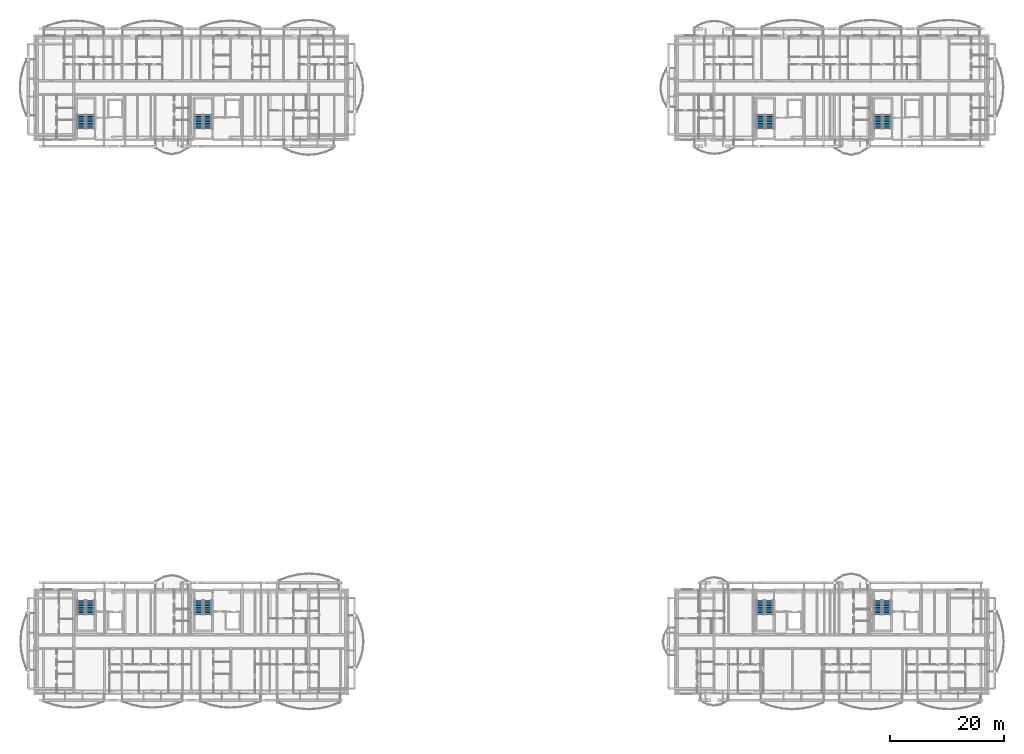
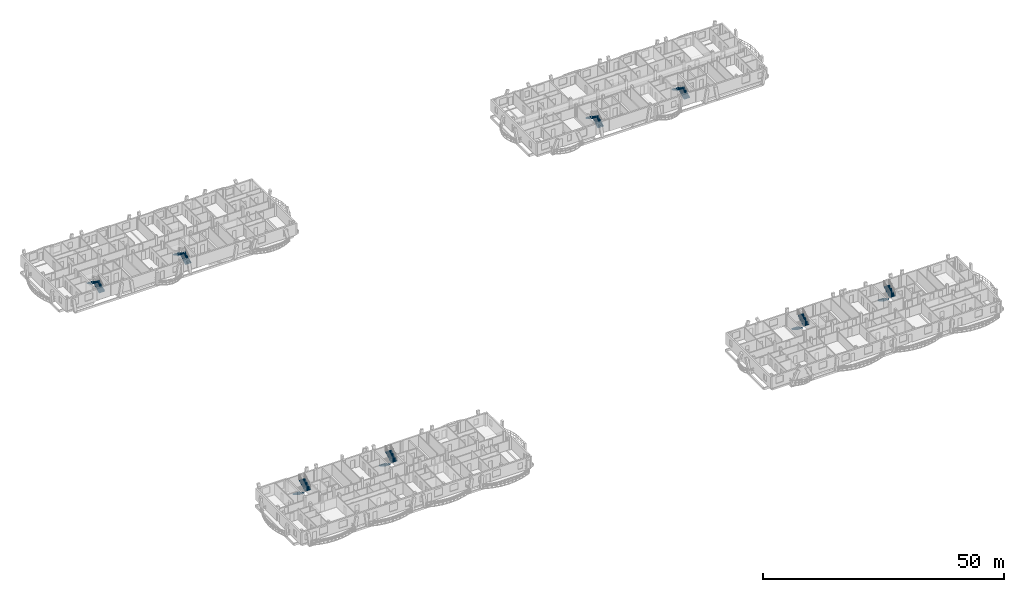
# One storey, part 38 of 52: 16 stair flights, 8 elements without a shape of their own.
"""IFC4 building model written with IfcOpenShell, lengths in metres."""

from ifc_helpers import new_model, si_unit, direction, frame, origin, place, context, subcontext, project, spatial, polyline, outline, extrude, material, type_object, element, aggregate, save


model = new_model("IFC4")

# Units and contexts
model_context = context("Model", 3, precision=1e-05, world=origin(), true_north=direction((0.0, 1.0)))
body_context = subcontext(model_context, "Body", "Model", "MODEL_VIEW")
ifc_project = project(units=[si_unit("LENGTHUNIT", "METRE"), si_unit("AREAUNIT", "SQUARE_METRE"), si_unit("VOLUMEUNIT", "CUBIC_METRE"), si_unit("PLANEANGLEUNIT", "RADIAN"), si_unit("MASSUNIT", "GRAM", prefix="KILO")], contexts=[model_context])

# Site, building, storey
site_placement = place(None, origin())
site = spatial("IfcSite", under=ifc_project, at=site_placement, CompositionType="ELEMENT")
building_placement = place(site_placement, origin())
building = spatial("IfcBuilding", under=site, at=building_placement, Name="Zavelmont Quarter", CompositionType="ELEMENT")
storey_placement = place(building_placement, frame((0.0, 0.0, 14.39990234375)))
storey = spatial("IfcBuildingStorey", under=building, at=storey_placement, Name="L04", CompositionType="ELEMENT", Elevation=14.39990234375)

# Stair, stair flights
ifc_material = material(Name="Concrete C35/45", Category="concrete")
stair_type_1 = type_object("IfcStairType", Name="STR-1350-1778", PredefinedType="HALF_TURN_STAIR", material=ifc_material)
stair_1_placement = place(storey_placement, origin())
stair_1 = element("IfcStair", 1, at=stair_1_placement, inside=storey, type_object=stair_type_1, Name="L04 protected stair ST07", PredefinedType="HALF_TURN_STAIR")
stair_flight_type_1 = type_object("IfcStairFlightType", Name="STF-1350-1778", PredefinedType="STRAIGHT", material=ifc_material)
stair_flight_1_placement = place(storey_placement, frame((127.875, 16.449951171875, 0.0), z_axis=(0.0, 0.0, 1.0), x_axis=(0.0, -1.0, 0.0)))
stair_flight_1 = element("IfcStairFlight", 2, at=stair_flight_1_placement, type_object=stair_flight_type_1, Name="ST07 flight 1", NumberOfRisers=9, NumberOfTreads=8, PredefinedType="STRAIGHT", RiserHeight=0.177777778, TreadLength=0.31, context=body_context, shape_type="SweptSolid", body=[
    extrude(outline(polyline([(0.0, 0.0), (0.0, 0.177734375), (0.31005859375, 0.177734375), (0.31005859375, 0.35546875), (0.6201171875, 0.35546875), (0.6201171875, 0.533447265625), (0.929931640625, 0.533447265625), (0.929931640625, 0.711181640625), (1.239990234375, 0.711181640625), (1.239990234375, 0.888916015625), (1.550048828125, 0.888916015625), (1.550048828125, 1.066650390625), (1.860107421875, 1.066650390625), (1.860107421875, 1.244384765625), (2.169921875, 1.244384765625), (2.169921875, 1.422119140625), (2.47998046875, 1.422119140625), (2.47998046875, 1.60009765625), (2.47998046875, 1.23779296875), (0.321533203125, 0.0), (0.0, 0.0)])), frame((0.0, 0.675048828125, 0.0), z_axis=(0.0, -1.0, 0.0), x_axis=(1.0, 0.0, 0.0)), (0.0, 0.0, 1.0), 1.35009765625),
])
stair_flight_2_placement = place(storey_placement, frame((129.425048828125, 13.969970703125, 1.60009765625), z_axis=(0.0, 0.0, 1.0), x_axis=(0.0, 1.0, 0.0)))
stair_flight_2 = element("IfcStairFlight", 3, at=stair_flight_2_placement, type_object=stair_flight_type_1, Name="ST07 flight 2", NumberOfRisers=9, NumberOfTreads=8, PredefinedType="STRAIGHT", RiserHeight=0.177777778, TreadLength=0.31, context=body_context, shape_type="SweptSolid", body=[
    extrude(outline(polyline([(0.0, 0.0), (0.0, 0.177734375), (0.31005859375, 0.177734375), (0.31005859375, 0.35546875), (0.6201171875, 0.35546875), (0.6201171875, 0.533447265625), (0.929931640625, 0.533447265625), (0.929931640625, 0.711181640625), (1.239990234375, 0.711181640625), (1.239990234375, 0.888916015625), (1.550048828125, 0.888916015625), (1.550048828125, 1.066650390625), (1.860107421875, 1.066650390625), (1.860107421875, 1.244384765625), (2.169921875, 1.244384765625), (2.169921875, 1.422119140625), (2.47998046875, 1.422119140625), (2.47998046875, 1.60009765625), (2.47998046875, 1.23779296875), (0.321533203125, 0.0), (0.0, 0.0)])), frame((0.0, 0.675048828125, 0.0), z_axis=(0.0, -1.0, 0.0), x_axis=(1.0, 0.0, 0.0)), (0.0, 0.0, 1.0), 1.35009765625),
])
aggregate(stair_1, [stair_flight_1, stair_flight_2])

stair_2_placement = place(storey_placement, origin())
stair_2 = element("IfcStair", 4, at=stair_2_placement, inside=storey, type_object=stair_type_1, Name="L04 protected stair ST08", PredefinedType="HALF_TURN_STAIR")
stair_flight_3_placement = place(storey_placement, frame((148.574951171875, 16.449951171875, 0.0), z_axis=(0.0, 0.0, 1.0), x_axis=(0.0, -1.0, 0.0)))
stair_flight_3 = element("IfcStairFlight", 5, at=stair_flight_3_placement, type_object=stair_flight_type_1, Name="ST08 flight 1", NumberOfRisers=9, NumberOfTreads=8, PredefinedType="STRAIGHT", RiserHeight=0.177777778, TreadLength=0.31, context=body_context, shape_type="SweptSolid", body=[
    extrude(outline(polyline([(0.0, 0.0), (0.0, 0.177734375), (0.31005859375, 0.177734375), (0.31005859375, 0.35546875), (0.6201171875, 0.35546875), (0.6201171875, 0.533447265625), (0.929931640625, 0.533447265625), (0.929931640625, 0.711181640625), (1.239990234375, 0.711181640625), (1.239990234375, 0.888916015625), (1.550048828125, 0.888916015625), (1.550048828125, 1.066650390625), (1.860107421875, 1.066650390625), (1.860107421875, 1.244384765625), (2.169921875, 1.244384765625), (2.169921875, 1.422119140625), (2.47998046875, 1.422119140625), (2.47998046875, 1.60009765625), (2.47998046875, 1.23779296875), (0.321533203125, 0.0), (0.0, 0.0)])), frame((0.0, 0.675048828125, 0.0), z_axis=(0.0, -1.0, 0.0), x_axis=(1.0, 0.0, 0.0)), (0.0, 0.0, 1.0), 1.35009765625),
])
stair_flight_4_placement = place(storey_placement, frame((150.125, 13.969970703125, 1.60009765625), z_axis=(0.0, 0.0, 1.0), x_axis=(0.0, 1.0, 0.0)))
stair_flight_4 = element("IfcStairFlight", 6, at=stair_flight_4_placement, type_object=stair_flight_type_1, Name="ST08 flight 2", NumberOfRisers=9, NumberOfTreads=8, PredefinedType="STRAIGHT", RiserHeight=0.177777778, TreadLength=0.31, context=body_context, shape_type="SweptSolid", body=[
    extrude(outline(polyline([(0.0, 0.0), (0.0, 0.177734375), (0.31005859375, 0.177734375), (0.31005859375, 0.35546875), (0.6201171875, 0.35546875), (0.6201171875, 0.533447265625), (0.929931640625, 0.533447265625), (0.929931640625, 0.711181640625), (1.239990234375, 0.711181640625), (1.239990234375, 0.888916015625), (1.550048828125, 0.888916015625), (1.550048828125, 1.066650390625), (1.860107421875, 1.066650390625), (1.860107421875, 1.244384765625), (2.169921875, 1.244384765625), (2.169921875, 1.422119140625), (2.47998046875, 1.422119140625), (2.47998046875, 1.60009765625), (2.47998046875, 1.23779296875), (0.321533203125, 0.0), (0.0, 0.0)])), frame((0.0, 0.675048828125, 0.0), z_axis=(0.0, -1.0, 0.0), x_axis=(1.0, 0.0, 0.0)), (0.0, 0.0, 1.0), 1.35009765625),
])
aggregate(stair_2, [stair_flight_3, stair_flight_4])

stair_type_2 = type_object("IfcStairType", Name="STR-1400-1778", PredefinedType="HALF_TURN_STAIR", material=ifc_material)
stair_3_placement = place(storey_placement, origin())
stair_3 = element("IfcStair", 7, at=stair_3_placement, inside=storey, type_object=stair_type_2, Name="L04 protected stair ST01", PredefinedType="HALF_TURN_STAIR")
stair_flight_type_2 = type_object("IfcStairFlightType", Name="STF-1400-1778", PredefinedType="STRAIGHT", material=ifc_material)
stair_flight_5_placement = place(storey_placement, frame((8.199951171875, 16.449951171875, 0.0), z_axis=(0.0, 0.0, 1.0), x_axis=(0.0, -1.0, 0.0)))
stair_flight_5 = element("IfcStairFlight", 8, at=stair_flight_5_placement, type_object=stair_flight_type_2, Name="ST01 flight 1", NumberOfRisers=9, NumberOfTreads=8, PredefinedType="STRAIGHT", RiserHeight=0.177777778, TreadLength=0.31, context=body_context, shape_type="SweptSolid", body=[
    extrude(outline(polyline([(0.0, 0.0), (0.0, 0.177734375), (0.31005859375, 0.177734375), (0.31005859375, 0.35546875), (0.6201171875, 0.35546875), (0.6201171875, 0.533447265625), (0.929931640625, 0.533447265625), (0.929931640625, 0.711181640625), (1.239990234375, 0.711181640625), (1.239990234375, 0.888916015625), (1.550048828125, 0.888916015625), (1.550048828125, 1.066650390625), (1.860107421875, 1.066650390625), (1.860107421875, 1.244384765625), (2.169921875, 1.244384765625), (2.169921875, 1.422119140625), (2.47998046875, 1.422119140625), (2.47998046875, 1.60009765625), (2.47998046875, 1.23779296875), (0.321533203125, 0.0), (0.0, 0.0)])), frame((0.0, 0.699951171875, 0.0), z_axis=(0.0, -1.0, 0.0), x_axis=(1.0, 0.0, 0.0)), (0.0, 0.0, 1.0), 1.39990234375),
])
stair_flight_6_placement = place(storey_placement, frame((9.800048828125, 13.969970703125, 1.60009765625), z_axis=(0.0, 0.0, 1.0), x_axis=(0.0, 1.0, 0.0)))
stair_flight_6 = element("IfcStairFlight", 9, at=stair_flight_6_placement, type_object=stair_flight_type_2, Name="ST01 flight 2", NumberOfRisers=9, NumberOfTreads=8, PredefinedType="STRAIGHT", RiserHeight=0.177777778, TreadLength=0.31, context=body_context, shape_type="SweptSolid", body=[
    extrude(outline(polyline([(0.0, 0.0), (0.0, 0.177734375), (0.31005859375, 0.177734375), (0.31005859375, 0.35546875), (0.6201171875, 0.35546875), (0.6201171875, 0.533447265625), (0.929931640625, 0.533447265625), (0.929931640625, 0.711181640625), (1.239990234375, 0.711181640625), (1.239990234375, 0.888916015625), (1.550048828125, 0.888916015625), (1.550048828125, 1.066650390625), (1.860107421875, 1.066650390625), (1.860107421875, 1.244384765625), (2.169921875, 1.244384765625), (2.169921875, 1.422119140625), (2.47998046875, 1.422119140625), (2.47998046875, 1.60009765625), (2.47998046875, 1.23779296875), (0.321533203125, 0.0), (0.0, 0.0)])), frame((0.0, 0.699951171875, 0.0), z_axis=(0.0, -1.0, 0.0), x_axis=(1.0, 0.0, 0.0)), (0.0, 0.0, 1.0), 1.39990234375),
])
aggregate(stair_3, [stair_flight_5, stair_flight_6])

stair_4_placement = place(storey_placement, origin())
stair_4 = element("IfcStair", 10, at=stair_4_placement, inside=storey, type_object=stair_type_2, Name="L04 protected stair ST02", PredefinedType="HALF_TURN_STAIR")
stair_flight_7_placement = place(storey_placement, frame((28.89990234375, 16.449951171875, 0.0), z_axis=(0.0, 0.0, 1.0), x_axis=(0.0, -1.0, 0.0)))
stair_flight_7 = element("IfcStairFlight", 11, at=stair_flight_7_placement, type_object=stair_flight_type_2, Name="ST02 flight 1", NumberOfRisers=9, NumberOfTreads=8, PredefinedType="STRAIGHT", RiserHeight=0.177777778, TreadLength=0.31, context=body_context, shape_type="SweptSolid", body=[
    extrude(outline(polyline([(0.0, 0.0), (0.0, 0.177734375), (0.31005859375, 0.177734375), (0.31005859375, 0.35546875), (0.6201171875, 0.35546875), (0.6201171875, 0.533447265625), (0.929931640625, 0.533447265625), (0.929931640625, 0.711181640625), (1.239990234375, 0.711181640625), (1.239990234375, 0.888916015625), (1.550048828125, 0.888916015625), (1.550048828125, 1.066650390625), (1.860107421875, 1.066650390625), (1.860107421875, 1.244384765625), (2.169921875, 1.244384765625), (2.169921875, 1.422119140625), (2.47998046875, 1.422119140625), (2.47998046875, 1.60009765625), (2.47998046875, 1.23779296875), (0.321533203125, 0.0), (0.0, 0.0)])), frame((0.0, 0.699951171875, 0.0), z_axis=(0.0, -1.0, 0.0), x_axis=(1.0, 0.0, 0.0)), (0.0, 0.0, 1.0), 1.39990234375),
])
stair_flight_8_placement = place(storey_placement, frame((30.5, 13.969970703125, 1.60009765625), z_axis=(0.0, 0.0, 1.0), x_axis=(0.0, 1.0, 0.0)))
stair_flight_8 = element("IfcStairFlight", 12, at=stair_flight_8_placement, type_object=stair_flight_type_2, Name="ST02 flight 2", NumberOfRisers=9, NumberOfTreads=8, PredefinedType="STRAIGHT", RiserHeight=0.177777778, TreadLength=0.31, context=body_context, shape_type="SweptSolid", body=[
    extrude(outline(polyline([(0.0, 0.0), (0.0, 0.177734375), (0.31005859375, 0.177734375), (0.31005859375, 0.35546875), (0.6201171875, 0.35546875), (0.6201171875, 0.533447265625), (0.929931640625, 0.533447265625), (0.929931640625, 0.711181640625), (1.239990234375, 0.711181640625), (1.239990234375, 0.888916015625), (1.550048828125, 0.888916015625), (1.550048828125, 1.066650390625), (1.860107421875, 1.066650390625), (1.860107421875, 1.244384765625), (2.169921875, 1.244384765625), (2.169921875, 1.422119140625), (2.47998046875, 1.422119140625), (2.47998046875, 1.60009765625), (2.47998046875, 1.23779296875), (0.321533203125, 0.0), (0.0, 0.0)])), frame((0.0, 0.699951171875, 0.0), z_axis=(0.0, -1.0, 0.0), x_axis=(1.0, 0.0, 0.0)), (0.0, 0.0, 1.0), 1.39990234375),
])
aggregate(stair_4, [stair_flight_7, stair_flight_8])

stair_5_placement = place(storey_placement, origin())
stair_5 = element("IfcStair", 13, at=stair_5_placement, inside=storey, type_object=stair_type_2, Name="L04 protected stair ST03", PredefinedType="HALF_TURN_STAIR")
stair_flight_9_placement = place(storey_placement, frame((9.800048828125, 99.550048828125, 0.0), z_axis=(0.0, 0.0, 1.0), x_axis=(0.0, 1.0, 0.0)))
stair_flight_9 = element("IfcStairFlight", 14, at=stair_flight_9_placement, type_object=stair_flight_type_2, Name="ST03 flight 1", NumberOfRisers=9, NumberOfTreads=8, PredefinedType="STRAIGHT", RiserHeight=0.177777778, TreadLength=0.31, context=body_context, shape_type="SweptSolid", body=[
    extrude(outline(polyline([(0.0, 0.0), (0.0, 0.177734375), (0.31005859375, 0.177734375), (0.31005859375, 0.35546875), (0.6201171875, 0.35546875), (0.6201171875, 0.533447265625), (0.929931640625, 0.533447265625), (0.929931640625, 0.711181640625), (1.239990234375, 0.711181640625), (1.239990234375, 0.888916015625), (1.550048828125, 0.888916015625), (1.550048828125, 1.066650390625), (1.860107421875, 1.066650390625), (1.860107421875, 1.244384765625), (2.169921875, 1.244384765625), (2.169921875, 1.422119140625), (2.47998046875, 1.422119140625), (2.47998046875, 1.60009765625), (2.47998046875, 1.23779296875), (0.321533203125, 0.0), (0.0, 0.0)])), frame((0.0, 0.699951171875, 0.0), z_axis=(0.0, -1.0, 0.0), x_axis=(1.0, 0.0, 0.0)), (0.0, 0.0, 1.0), 1.39990234375),
])
stair_flight_10_placement = place(storey_placement, frame((8.199951171875, 102.030029296875, 1.60009765625), z_axis=(0.0, 0.0, 1.0), x_axis=(0.0, -1.0, 0.0)))
stair_flight_10 = element("IfcStairFlight", 15, at=stair_flight_10_placement, type_object=stair_flight_type_2, Name="ST03 flight 2", NumberOfRisers=9, NumberOfTreads=8, PredefinedType="STRAIGHT", RiserHeight=0.177777778, TreadLength=0.31, context=body_context, shape_type="SweptSolid", body=[
    extrude(outline(polyline([(0.0, 0.0), (0.0, 0.177734375), (0.31005859375, 0.177734375), (0.31005859375, 0.35546875), (0.6201171875, 0.35546875), (0.6201171875, 0.533447265625), (0.929931640625, 0.533447265625), (0.929931640625, 0.711181640625), (1.239990234375, 0.711181640625), (1.239990234375, 0.888916015625), (1.550048828125, 0.888916015625), (1.550048828125, 1.066650390625), (1.860107421875, 1.066650390625), (1.860107421875, 1.244384765625), (2.169921875, 1.244384765625), (2.169921875, 1.422119140625), (2.47998046875, 1.422119140625), (2.47998046875, 1.60009765625), (2.47998046875, 1.23779296875), (0.321533203125, 0.0), (0.0, 0.0)])), frame((0.0, 0.699951171875, 0.0), z_axis=(0.0, -1.0, 0.0), x_axis=(1.0, 0.0, 0.0)), (0.0, 0.0, 1.0), 1.39990234375),
])
aggregate(stair_5, [stair_flight_9, stair_flight_10])

stair_6_placement = place(storey_placement, origin())
stair_6 = element("IfcStair", 16, at=stair_6_placement, inside=storey, type_object=stair_type_2, Name="L04 protected stair ST04", PredefinedType="HALF_TURN_STAIR")
stair_flight_11_placement = place(storey_placement, frame((30.5, 99.550048828125, 0.0), z_axis=(0.0, 0.0, 1.0), x_axis=(0.0, 1.0, 0.0)))
stair_flight_11 = element("IfcStairFlight", 17, at=stair_flight_11_placement, type_object=stair_flight_type_2, Name="ST04 flight 1", NumberOfRisers=9, NumberOfTreads=8, PredefinedType="STRAIGHT", RiserHeight=0.177777778, TreadLength=0.31, context=body_context, shape_type="SweptSolid", body=[
    extrude(outline(polyline([(0.0, 0.0), (0.0, 0.177734375), (0.31005859375, 0.177734375), (0.31005859375, 0.35546875), (0.6201171875, 0.35546875), (0.6201171875, 0.533447265625), (0.929931640625, 0.533447265625), (0.929931640625, 0.711181640625), (1.239990234375, 0.711181640625), (1.239990234375, 0.888916015625), (1.550048828125, 0.888916015625), (1.550048828125, 1.066650390625), (1.860107421875, 1.066650390625), (1.860107421875, 1.244384765625), (2.169921875, 1.244384765625), (2.169921875, 1.422119140625), (2.47998046875, 1.422119140625), (2.47998046875, 1.60009765625), (2.47998046875, 1.23779296875), (0.321533203125, 0.0), (0.0, 0.0)])), frame((0.0, 0.699951171875, 0.0), z_axis=(0.0, -1.0, 0.0), x_axis=(1.0, 0.0, 0.0)), (0.0, 0.0, 1.0), 1.39990234375),
])
stair_flight_12_placement = place(storey_placement, frame((28.89990234375, 102.030029296875, 1.60009765625), z_axis=(0.0, 0.0, 1.0), x_axis=(0.0, -1.0, 0.0)))
stair_flight_12 = element("IfcStairFlight", 18, at=stair_flight_12_placement, type_object=stair_flight_type_2, Name="ST04 flight 2", NumberOfRisers=9, NumberOfTreads=8, PredefinedType="STRAIGHT", RiserHeight=0.177777778, TreadLength=0.31, context=body_context, shape_type="SweptSolid", body=[
    extrude(outline(polyline([(0.0, 0.0), (0.0, 0.177734375), (0.31005859375, 0.177734375), (0.31005859375, 0.35546875), (0.6201171875, 0.35546875), (0.6201171875, 0.533447265625), (0.929931640625, 0.533447265625), (0.929931640625, 0.711181640625), (1.239990234375, 0.711181640625), (1.239990234375, 0.888916015625), (1.550048828125, 0.888916015625), (1.550048828125, 1.066650390625), (1.860107421875, 1.066650390625), (1.860107421875, 1.244384765625), (2.169921875, 1.244384765625), (2.169921875, 1.422119140625), (2.47998046875, 1.422119140625), (2.47998046875, 1.60009765625), (2.47998046875, 1.23779296875), (0.321533203125, 0.0), (0.0, 0.0)])), frame((0.0, 0.699951171875, 0.0), z_axis=(0.0, -1.0, 0.0), x_axis=(1.0, 0.0, 0.0)), (0.0, 0.0, 1.0), 1.39990234375),
])
aggregate(stair_6, [stair_flight_11, stair_flight_12])

stair_7_placement = place(storey_placement, origin())
stair_7 = element("IfcStair", 19, at=stair_7_placement, inside=storey, type_object=stair_type_2, Name="L04 protected stair ST05", PredefinedType="HALF_TURN_STAIR")
stair_flight_13_placement = place(storey_placement, frame((129.5, 99.550048828125, 0.0), z_axis=(0.0, 0.0, 1.0), x_axis=(0.0, 1.0, 0.0)))
stair_flight_13 = element("IfcStairFlight", 20, at=stair_flight_13_placement, type_object=stair_flight_type_2, Name="ST05 flight 1", NumberOfRisers=9, NumberOfTreads=8, PredefinedType="STRAIGHT", RiserHeight=0.177777778, TreadLength=0.31, context=body_context, shape_type="SweptSolid", body=[
    extrude(outline(polyline([(0.0, 0.0), (0.0, 0.177734375), (0.31005859375, 0.177734375), (0.31005859375, 0.35546875), (0.6201171875, 0.35546875), (0.6201171875, 0.533447265625), (0.929931640625, 0.533447265625), (0.929931640625, 0.711181640625), (1.239990234375, 0.711181640625), (1.239990234375, 0.888916015625), (1.550048828125, 0.888916015625), (1.550048828125, 1.066650390625), (1.860107421875, 1.066650390625), (1.860107421875, 1.244384765625), (2.169921875, 1.244384765625), (2.169921875, 1.422119140625), (2.47998046875, 1.422119140625), (2.47998046875, 1.60009765625), (2.47998046875, 1.23779296875), (0.321533203125, 0.0), (0.0, 0.0)])), frame((0.0, 0.699951171875, 0.0), z_axis=(0.0, -1.0, 0.0), x_axis=(1.0, 0.0, 0.0)), (0.0, 0.0, 1.0), 1.39990234375),
])
stair_flight_14_placement = place(storey_placement, frame((127.89990234375, 102.030029296875, 1.60009765625), z_axis=(0.0, 0.0, 1.0), x_axis=(0.0, -1.0, 0.0)))
stair_flight_14 = element("IfcStairFlight", 21, at=stair_flight_14_placement, type_object=stair_flight_type_2, Name="ST05 flight 2", NumberOfRisers=9, NumberOfTreads=8, PredefinedType="STRAIGHT", RiserHeight=0.177777778, TreadLength=0.31, context=body_context, shape_type="SweptSolid", body=[
    extrude(outline(polyline([(0.0, 0.0), (0.0, 0.177734375), (0.31005859375, 0.177734375), (0.31005859375, 0.35546875), (0.6201171875, 0.35546875), (0.6201171875, 0.533447265625), (0.929931640625, 0.533447265625), (0.929931640625, 0.711181640625), (1.239990234375, 0.711181640625), (1.239990234375, 0.888916015625), (1.550048828125, 0.888916015625), (1.550048828125, 1.066650390625), (1.860107421875, 1.066650390625), (1.860107421875, 1.244384765625), (2.169921875, 1.244384765625), (2.169921875, 1.422119140625), (2.47998046875, 1.422119140625), (2.47998046875, 1.60009765625), (2.47998046875, 1.23779296875), (0.321533203125, 0.0), (0.0, 0.0)])), frame((0.0, 0.699951171875, 0.0), z_axis=(0.0, -1.0, 0.0), x_axis=(1.0, 0.0, 0.0)), (0.0, 0.0, 1.0), 1.39990234375),
])
aggregate(stair_7, [stair_flight_13, stair_flight_14])

stair_8_placement = place(storey_placement, origin())
stair_8 = element("IfcStair", 22, at=stair_8_placement, inside=storey, type_object=stair_type_2, Name="L04 protected stair ST06", PredefinedType="HALF_TURN_STAIR")
stair_flight_15_placement = place(storey_placement, frame((150.199951171875, 99.550048828125, 0.0), z_axis=(0.0, 0.0, 1.0), x_axis=(0.0, 1.0, 0.0)))
stair_flight_15 = element("IfcStairFlight", 23, at=stair_flight_15_placement, type_object=stair_flight_type_2, Name="ST06 flight 1", NumberOfRisers=9, NumberOfTreads=8, PredefinedType="STRAIGHT", RiserHeight=0.177777778, TreadLength=0.31, context=body_context, shape_type="SweptSolid", body=[
    extrude(outline(polyline([(0.0, 0.0), (0.0, 0.177734375), (0.31005859375, 0.177734375), (0.31005859375, 0.35546875), (0.6201171875, 0.35546875), (0.6201171875, 0.533447265625), (0.929931640625, 0.533447265625), (0.929931640625, 0.711181640625), (1.239990234375, 0.711181640625), (1.239990234375, 0.888916015625), (1.550048828125, 0.888916015625), (1.550048828125, 1.066650390625), (1.860107421875, 1.066650390625), (1.860107421875, 1.244384765625), (2.169921875, 1.244384765625), (2.169921875, 1.422119140625), (2.47998046875, 1.422119140625), (2.47998046875, 1.60009765625), (2.47998046875, 1.23779296875), (0.321533203125, 0.0), (0.0, 0.0)])), frame((0.0, 0.699951171875, 0.0), z_axis=(0.0, -1.0, 0.0), x_axis=(1.0, 0.0, 0.0)), (0.0, 0.0, 1.0), 1.39990234375),
])
stair_flight_16_placement = place(storey_placement, frame((148.60009765625, 102.030029296875, 1.60009765625), z_axis=(0.0, 0.0, 1.0), x_axis=(0.0, -1.0, 0.0)))
stair_flight_16 = element("IfcStairFlight", 24, at=stair_flight_16_placement, type_object=stair_flight_type_2, Name="ST06 flight 2", NumberOfRisers=9, NumberOfTreads=8, PredefinedType="STRAIGHT", RiserHeight=0.177777778, TreadLength=0.31, context=body_context, shape_type="SweptSolid", body=[
    extrude(outline(polyline([(0.0, 0.0), (0.0, 0.177734375), (0.31005859375, 0.177734375), (0.31005859375, 0.35546875), (0.6201171875, 0.35546875), (0.6201171875, 0.533447265625), (0.929931640625, 0.533447265625), (0.929931640625, 0.711181640625), (1.239990234375, 0.711181640625), (1.239990234375, 0.888916015625), (1.550048828125, 0.888916015625), (1.550048828125, 1.066650390625), (1.860107421875, 1.066650390625), (1.860107421875, 1.244384765625), (2.169921875, 1.244384765625), (2.169921875, 1.422119140625), (2.47998046875, 1.422119140625), (2.47998046875, 1.60009765625), (2.47998046875, 1.23779296875), (0.321533203125, 0.0), (0.0, 0.0)])), frame((0.0, 0.699951171875, 0.0), z_axis=(0.0, -1.0, 0.0), x_axis=(1.0, 0.0, 0.0)), (0.0, 0.0, 1.0), 1.39990234375),
])
aggregate(stair_8, [stair_flight_15, stair_flight_16])

save(model, "model.ifc")
